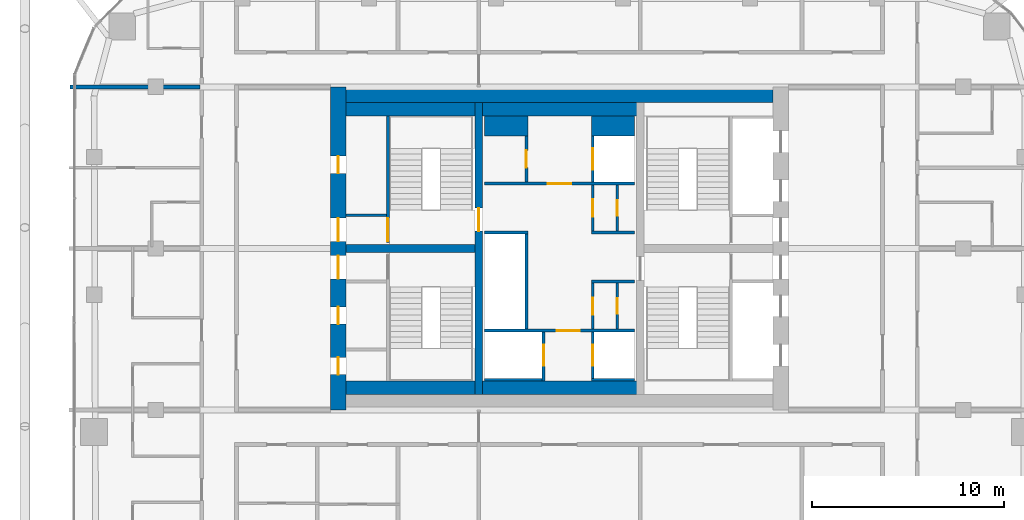
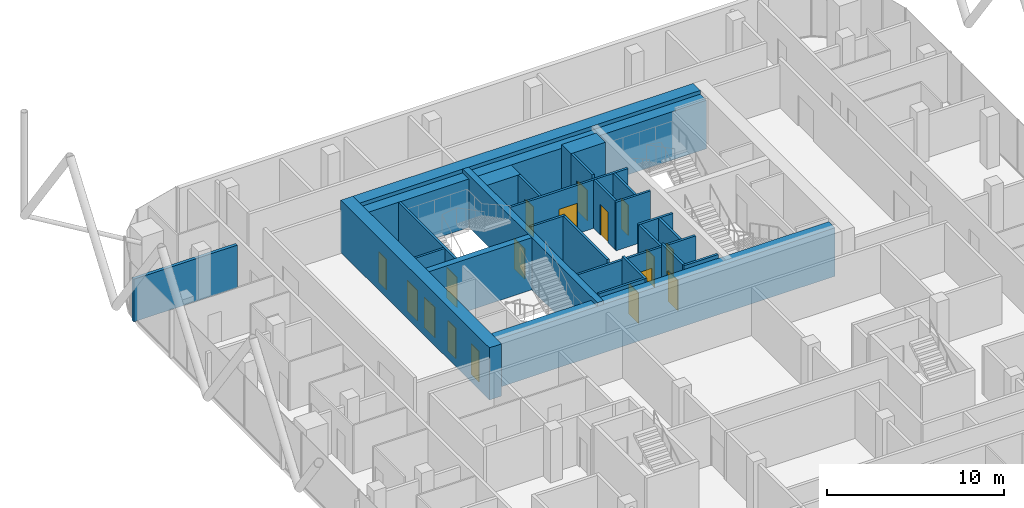
# One storey, part 24 of 28: 27 walls, 17 doors, 17 openings.
"""IFC4 building model written with IfcOpenShell, lengths in metres."""

import ifcopenshell
import ifcopenshell.guid

model = None  # the IFC model being written
_history = None  # IfcOwnerHistory: only IFC2X3 demands one
_inside = {}  # id of a spatial element -> (the spatial element, [elements in it])
_under = {}  # id of a project, library or spatial element -> (it, [spatial elements below it])
_declared = {}  # id of a project -> (the project, [libraries it declares])
_typed = {}  # id of a type object -> (the type object, [elements of that type])
_made_of = {}  # id of a material, layer set ... -> (it, [elements and type objects made of it])


def new_model(schema):
    """Start an empty IFC model of exactly this schema.

    Asked for "IFC4X3", IfcOpenShell would pick the latest addendum, in which some entities
    have other attributes; the version numbers below select the first issue.
    IFC2X3 requires an IfcOwnerHistory on every rooted entity: one is made here for all.
    """
    global model, _history
    if schema == "IFC4X3":
        model = ifcopenshell.file(schema_version=(4, 3, 0, 0))
    else:
        model = ifcopenshell.file(schema=schema)
    _inside.clear()
    _under.clear()
    _declared.clear()
    _typed.clear()
    _made_of.clear()
    _history = None
    if model.schema == "IFC2X3":
        org = make("IfcOrganization", Name="unknown")
        user = make(
            "IfcPersonAndOrganization",
            ThePerson=make("IfcPerson", FamilyName="unknown"),
            TheOrganization=org,
        )
        app = make(
            "IfcApplication",
            ApplicationDeveloper=org,
            Version="unknown",
            ApplicationFullName="unknown",
            ApplicationIdentifier="unknown",
        )
        _history = make(
            "IfcOwnerHistory",
            OwningUser=user,
            OwningApplication=app,
            ChangeAction="ADDED",
            CreationDate=0,
        )
    return model


def make(cls, **values):
    """One entity of the class cls with the attributes given. An attribute that is None is left unset."""
    return model.create_entity(
        cls, **{name: value for name, value in values.items() if value is not None}
    )


def rooted(cls, **values):
    """An entity with a GlobalId (a new one), such as an element, a storey or a relation."""
    return make(cls, GlobalId=ifcopenshell.guid.new(), OwnerHistory=_history, **values)


def si_unit(unit_type, name, prefix=None):
    """IfcSIUnit, for example si_unit("LENGTHUNIT", "METRE", prefix="MILLI")."""
    return make("IfcSIUnit", UnitType=unit_type, Prefix=prefix, Name=name)


def assignment(units):
    """IfcUnitAssignment: the units of a project."""
    return None if units is None else make("IfcUnitAssignment", Units=units)


def point(xyz):
    """IfcCartesianPoint."""
    return None if xyz is None else make("IfcCartesianPoint", Coordinates=xyz)


def direction(xyz):
    """IfcDirection."""
    return None if xyz is None else make("IfcDirection", DirectionRatios=xyz)


def frame(location, z_axis=None, x_axis=None):
    """IfcAxis2Placement3D, a coordinate frame: its origin and axes. An axis left out is left unset."""
    return make(
        "IfcAxis2Placement3D",
        Location=point(location),
        Axis=direction(z_axis),
        RefDirection=direction(x_axis),
    )


def frame_2d(location, x_axis=None):
    """IfcAxis2Placement2D, a coordinate frame in the plane: its origin and x axis."""
    return make(
        "IfcAxis2Placement2D", Location=point(location), RefDirection=direction(x_axis)
    )


def origin():
    """The frame at (0, 0, 0) with its axes left unset."""
    return frame((0.0, 0.0, 0.0))


def place(relative_to, where):
    """IfcLocalPlacement: puts the frame where relative to a parent placement (None: the world)."""
    return make(
        "IfcLocalPlacement", PlacementRelTo=relative_to, RelativePlacement=where
    )


def context(
    kind, dimensions, precision=None, world=None, true_north=None, identifier=None
):
    """IfcGeometricRepresentationContext, for example the 3D "Model" context."""
    return make(
        "IfcGeometricRepresentationContext",
        ContextIdentifier=identifier,
        ContextType=kind,
        CoordinateSpaceDimension=dimensions,
        Precision=precision,
        WorldCoordinateSystem=world,
        TrueNorth=true_north,
    )


def subcontext(parent, identifier, kind, view, scale=None):
    """IfcGeometricRepresentationSubContext, for example "Body" below "Model"."""
    return make(
        "IfcGeometricRepresentationSubContext",
        ContextIdentifier=identifier,
        ContextType=kind,
        ParentContext=parent,
        TargetScale=scale,
        TargetView=view,
    )


def project(units=None, contexts=None):
    """IfcProject with its units and contexts."""
    return rooted(
        "IfcProject",
        Name="project",
        RepresentationContexts=contexts,
        UnitsInContext=assignment(units),
    )


def spatial(cls, under=None, at=None, **own):
    """A site, building, storey or space (cls), placed at a placement, below another one or the project."""
    s = rooted(cls, ObjectPlacement=at, **own)
    if under is not None:
        _under.setdefault(under.id(), (under, []))[1].append(s)
    return s


def profile(cls, at=None, kind="AREA", **sizes):
    """A parametric profile (cls). Its sizes go by their IFC names, for example OverallWidth=200.0."""
    return make(cls, ProfileType=kind, Position=at, **sizes)


def rectangle(**sizes):
    """IfcRectangleProfileDef."""
    return profile("IfcRectangleProfileDef", **sizes)


def extrude(swept, where, along, depth):
    """IfcExtrudedAreaSolid: the profile swept, set in the frame where, extruded along a direction by depth."""
    return make(
        "IfcExtrudedAreaSolid",
        SweptArea=swept,
        Position=where,
        ExtrudedDirection=direction(along),
        Depth=depth,
    )


def shape(context_of_items, identifier, shape_type, items):
    """IfcShapeRepresentation: the items that make up one representation, for example the "Body"."""
    return make(
        "IfcShapeRepresentation",
        ContextOfItems=context_of_items,
        RepresentationIdentifier=identifier,
        RepresentationType=shape_type,
        Items=items,
    )


def material(Name=None, Category=None):
    """IfcMaterial."""
    return make("IfcMaterial", Name=Name, Category=Category)


def layer(
    of_material, thickness, ventilated=None, Name=None, Category=None, Priority=None
):
    """IfcMaterialLayer: one layer of a wall or slab, of a material (None: an air gap)."""
    return make(
        "IfcMaterialLayer",
        Material=of_material,
        LayerThickness=thickness,
        IsVentilated=ventilated,
        Name=Name,
        Category=Category,
        Priority=Priority,
    )


def layer_set(layers, Name=None):
    """IfcMaterialLayerSet."""
    return make("IfcMaterialLayerSet", MaterialLayers=layers, LayerSetName=Name)


def made_of(thing, what):
    """Note that an element or type object is made of a material, layer set ...; save() writes the relation."""
    if what is not None:
        _made_of.setdefault(what.id(), (what, []))[1].append(thing)
    return thing


def type_object(cls, material=None, **own):
    """A type object (cls), such as IfcWallType, which elements share."""
    return made_of(rooted(cls, **own), material)


def element(
    cls,
    number,
    at=None,
    inside=None,
    cuts=None,
    type_object=None,
    material=None,
    context=None,
    identifier="Body",
    shape_type=None,
    held_by="IfcProductDefinitionShape",
    body=None,
    shapes=None,
    **own,
):
    """One element of the class cls, such as IfcWall. Its Tag is "e" and its number.

    at: its placement. inside: the storey or other place that contains it. cuts: it is an
    opening in that element (IfcRelVoidsElement). A single representation is given by context,
    identifier, shape_type and body (its items); several are given by shapes. held_by: the class
    of the entity that holds the representations. save() writes the other relations.
    """
    e = rooted(cls, Tag="e%d" % number, ObjectPlacement=at, **own)
    if body is not None:
        shapes = [shape(context, identifier, shape_type, body)]
    if shapes is not None:
        e.Representation = make(held_by, Representations=shapes)
    if inside is not None:
        _inside.setdefault(inside.id(), (inside, []))[1].append(e)
    if cuts is not None:
        rooted(
            "IfcRelVoidsElement", RelatingBuildingElement=cuts, RelatedOpeningElement=e
        )
    if type_object is not None:
        _typed.setdefault(type_object.id(), (type_object, []))[1].append(e)
    return made_of(e, material)


def fill(opening, filler):
    """IfcRelFillsElement: the door or window that sits in an opening."""
    return rooted(
        "IfcRelFillsElement",
        RelatingOpeningElement=opening,
        RelatedBuildingElement=filler,
    )


def aggregate(whole, parts):
    """IfcRelAggregates: a whole, such as a stair, and the parts it consists of."""
    return rooted("IfcRelAggregates", RelatingObject=whole, RelatedObjects=parts)


def save(model, path):
    """Write the relations noted so far, then the file.

    IfcRelAggregates (storeys below a building ...), IfcRelContainedInSpatialStructure (elements
    in a storey), IfcRelDefinesByType, IfcRelAssociatesMaterial and IfcRelDeclares: one each for
    every whole, place, type object, material and project.
    """
    for whole, parts in _under.values():
        aggregate(whole, parts)
    for where, things in _inside.values():
        rooted(
            "IfcRelContainedInSpatialStructure",
            RelatedElements=things,
            RelatingStructure=where,
        )
    for kind, things in _typed.values():
        rooted("IfcRelDefinesByType", RelatedObjects=things, RelatingType=kind)
    for what, things in _made_of.values():
        rooted("IfcRelAssociatesMaterial", RelatedObjects=things, RelatingMaterial=what)
    for by, libraries in _declared.values():
        rooted("IfcRelDeclares", RelatingContext=by, RelatedDefinitions=libraries)
    model.write(path)


model = new_model("IFC4")

# Units and contexts
model_context = context("Model", 3, precision=1e-05, world=origin(), true_north=direction((0.0, 1.0)))
body_context = subcontext(model_context, "Body", "Model", "MODEL_VIEW")
ifc_project = project(units=[si_unit("LENGTHUNIT", "METRE"), si_unit("AREAUNIT", "SQUARE_METRE"), si_unit("VOLUMEUNIT", "CUBIC_METRE"), si_unit("PLANEANGLEUNIT", "RADIAN"), si_unit("MASSUNIT", "GRAM", prefix="KILO")], contexts=[model_context])

# Site, building, storey
site_placement = place(None, origin())
site = spatial("IfcSite", under=ifc_project, at=site_placement, CompositionType="ELEMENT")
building_placement = place(site_placement, origin())
building = spatial("IfcBuilding", under=site, at=building_placement, Name="Marenta Gate Hotel Tower", CompositionType="ELEMENT")
storey_placement = place(building_placement, frame((0.0, 0.0, 198.5)))
storey = spatial("IfcBuildingStorey", under=building, at=storey_placement, Name="L45", CompositionType="ELEMENT", Elevation=198.5)

# Walls
ifc_material_1 = material(Name="Concrete C40", Category="concrete")
ifc_layer_1 = layer(ifc_material_1, 0.699951171875)
ifc_layer_set_1 = layer_set([ifc_layer_1], Name="Concrete C40")
wall_type_1 = type_object("IfcWallType", Name="Core lining wall 700 REI 180", PredefinedType="PARTITIONING", material=ifc_layer_set_1)
for number, where, z_axis, x_axis, name in (
    (1, (-11.10009765625, 1.14990234375, 0.0), (0.0, 0.0, 1.0), (1.0, 0.0, 0.0), "L45-CP-LN-S"),
    (2, (-11.10009765625, 15.64990234375, 0.0), (0.0, 0.0, 1.0), (1.0, 0.0, 0.0), "L45-CP-LN-N"),
):
    element("IfcWall", number, at=place(storey_placement, frame(where, z_axis=z_axis, x_axis=x_axis)), inside=storey, type_object=wall_type_1, Name=name, PredefinedType="PARTITIONING", context=body_context, shape_type="SweptSolid", body=[
        extrude(rectangle(XDim=22.2001953125, YDim=0.699951171875, at=frame_2d((11.10009765625, 0.0))), origin(), (0.0, 0.0, 1.0), 3.340087890625),
    ])

# Wall, opening, door
ifc_material_2 = material(Name="Concrete blockwork", Category="masonry")
ifc_layer_2 = layer(ifc_material_2, 0.14990234375)
ifc_layer_set_2 = layer_set([ifc_layer_2], Name="Concrete blockwork")
wall_type_2 = type_object("IfcWallType", Name="Core lobby partition 150 REI 180", PredefinedType="PARTITIONING", material=ifc_layer_set_2)
wall_1_placement = place(storey_placement, frame((-3.89990234375, 4.125, 0.0), z_axis=(0.0, 0.0, 1.0), x_axis=(1.0, 0.0, 0.0)))
wall_1 = element("IfcWall", 3, at=wall_1_placement, inside=storey, type_object=wall_type_2, Name="L45-CP-CW-S", PredefinedType="PARTITIONING", context=body_context, shape_type="SweptSolid", body=[
    extrude(rectangle(XDim=7.7998046875, YDim=0.14990234375, at=frame_2d((3.89990234375, 0.0))), origin(), (0.0, 0.0, 1.0), 3.340087890625),
])
opening_1_placement = place(wall_1_placement, frame((3.75, 0.0, 0.0)))
opening_1 = element("IfcOpeningElement", 4, at=opening_1_placement, cuts=wall_1, Name="Opening FD-FFS", PredefinedType="OPENING", context=body_context, shape_type="SweptSolid", body=[
    extrude(rectangle(XDim=1.199951171875, YDim=2.10009765625, at=frame_2d((0.60009765625, 1.050048828125))), frame((0.0, 0.074951171875, 0.0), z_axis=(0.0, -1.0, 0.0), x_axis=(1.0, 0.0, 0.0)), (0.0, 0.0, 1.0), 0.14990234375),
])
ifc_material_3 = material(Name="Steel", Category="steel")
door_type_1 = type_object("IfcDoorType", Name="Core lobby door 1200x2100 FD60", OperationType="SINGLE_SWING_LEFT", PredefinedType="DOOR", material=ifc_material_3)
door_1_placement = place(opening_1_placement, origin())
door_1 = element("IfcDoor", 5, at=door_1_placement, inside=storey, type_object=door_type_1, Name="FD-FFS", OperationType="SINGLE_SWING_LEFT", OverallHeight=2.10009765625, OverallWidth=1.199951171875, PredefinedType="DOOR", context=body_context, shape_type="SweptSolid", body=[
    extrude(rectangle(XDim=1.199951171875, YDim=2.10009765625, at=frame_2d((0.60009765625, 1.050048828125))), frame((0.0, 0.02490234375, 0.0), z_axis=(0.0, -1.0, 0.0), x_axis=(1.0, 0.0, 0.0)), (0.0, 0.0, 1.0), 0.050048828125),
])
fill(opening_1, door_1)

wall_2_placement = place(storey_placement, frame((-3.89990234375, 11.77490234375, 0.0), z_axis=(0.0, 0.0, 1.0), x_axis=(1.0, 0.0, 0.0)))
wall_2 = element("IfcWall", 6, at=wall_2_placement, inside=storey, type_object=wall_type_2, Name="L45-CP-CW-N", PredefinedType="PARTITIONING", context=body_context, shape_type="SweptSolid", body=[
    extrude(rectangle(XDim=7.7998046875, YDim=0.14990234375, at=frame_2d((3.89990234375, 0.0))), origin(), (0.0, 0.0, 1.0), 3.340087890625),
])
opening_2_placement = place(wall_2_placement, frame((3.300048828125, 0.0, 0.0)))
opening_2 = element("IfcOpeningElement", 7, at=opening_2_placement, cuts=wall_2, Name="Opening FD-FFN", PredefinedType="OPENING", context=body_context, shape_type="SweptSolid", body=[
    extrude(rectangle(XDim=1.199951171875, YDim=2.10009765625, at=frame_2d((0.60009765625, 1.050048828125))), frame((0.0, 0.074951171875, 0.0), z_axis=(0.0, -1.0, 0.0), x_axis=(1.0, 0.0, 0.0)), (0.0, 0.0, 1.0), 0.14990234375),
])
door_2_placement = place(opening_2_placement, origin())
door_2 = element("IfcDoor", 8, at=door_2_placement, inside=storey, type_object=door_type_1, Name="FD-FFN", OperationType="SINGLE_SWING_LEFT", OverallHeight=2.10009765625, OverallWidth=1.199951171875, PredefinedType="DOOR", context=body_context, shape_type="SweptSolid", body=[
    extrude(rectangle(XDim=1.199951171875, YDim=2.10009765625, at=frame_2d((0.60009765625, 1.050048828125))), frame((0.0, 0.02490234375, 0.0), z_axis=(0.0, -1.0, 0.0), x_axis=(1.0, 0.0, 0.0)), (0.0, 0.0, 1.0), 0.050048828125),
])
fill(opening_2, door_2)

# Walls
ifc_material_4 = material(Name="Concrete blockwork", Category="masonry")
ifc_layer_3 = layer(ifc_material_4, 1.050048828125)
ifc_layer_set_3 = layer_set([ifc_layer_3], Name="Concrete blockwork")
wall_type_3 = type_object("IfcWallType", Name="Core room partition 1050 REI 180", PredefinedType="PARTITIONING", material=ifc_layer_set_3)
wall_3_placement = place(storey_placement, frame((-3.89990234375, 14.77490234375, 0.0), z_axis=(0.0, 0.0, 1.0), x_axis=(1.0, 0.0, 0.0)))
element("IfcWall", 9, at=wall_3_placement, inside=storey, type_object=wall_type_3, Name="L45-CP-CW-W-riser-N", PredefinedType="PARTITIONING", context=body_context, shape_type="SweptSolid", body=[
    extrude(rectangle(XDim=2.25, YDim=1.050048828125, at=frame_2d((1.125, 0.0))), origin(), (0.0, 0.0, 1.0), 3.340087890625),
])
ifc_material_5 = material(Name="Concrete blockwork", Category="masonry")
ifc_layer_4 = layer(ifc_material_5, 0.14990234375)
ifc_layer_set_4 = layer_set([ifc_layer_4], Name="Concrete blockwork")
wall_type_4 = type_object("IfcWallType", Name="Core room partition 150 REI 180", PredefinedType="PARTITIONING", material=ifc_layer_set_4)
wall_4_placement = place(storey_placement, frame((-11.10009765625, 10.125, 0.0), z_axis=(0.0, 0.0, 1.0), x_axis=(1.0, 0.0, 0.0)))
element("IfcWall", 10, at=wall_4_placement, inside=storey, type_object=wall_type_4, Name="L45-CP-SW-WN-2", PredefinedType="PARTITIONING", context=body_context, shape_type="SweptSolid", body=[
    extrude(rectangle(XDim=2.10009765625, YDim=0.14990234375, at=frame_2d((1.050048828125, 0.0))), origin(), (0.0, 0.0, 1.0), 3.340087890625),
])

# Wall, opening, door
wall_5_placement = place(storey_placement, frame((-1.72509765625, 11.85009765625, 0.0), z_axis=(0.0, 0.0, 1.0), x_axis=(0.0, 1.0, 0.0)))
wall_5 = element("IfcWall", 11, at=wall_5_placement, inside=storey, type_object=wall_type_4, Name="L45-CP-CW-W-riser-front", PredefinedType="PARTITIONING", context=body_context, shape_type="SweptSolid", body=[
    extrude(rectangle(XDim=2.39990234375, YDim=0.14990234375, at=frame_2d((1.199951171875, 0.0))), origin(), (0.0, 0.0, 1.0), 3.340087890625),
])
opening_3_placement = place(wall_5_placement, frame((0.75, 0.0, 0.0)))
opening_3 = element("IfcOpeningElement", 12, at=opening_3_placement, cuts=wall_5, Name="Opening RD-CRISER", PredefinedType="OPENING", context=body_context, shape_type="SweptSolid", body=[
    extrude(rectangle(XDim=0.89990234375, YDim=2.10009765625, at=frame_2d((0.449951171875, 1.050048828125))), frame((0.0, 0.074951171875, 0.0), z_axis=(0.0, -1.0, 0.0), x_axis=(1.0, 0.0, 0.0)), (0.0, 0.0, 1.0), 0.14990234375),
])
ifc_material_6 = material(Name="Steel", Category="steel")
door_type_2 = type_object("IfcDoorType", Name="Core riser door 900x2100 FD60", OperationType="SINGLE_SWING_LEFT", PredefinedType="DOOR", material=ifc_material_6)
door_3_placement = place(opening_3_placement, origin())
door_3 = element("IfcDoor", 13, at=door_3_placement, inside=storey, type_object=door_type_2, Name="RD-CRISER", OperationType="SINGLE_SWING_LEFT", OverallHeight=2.10009765625, OverallWidth=0.89990234375, PredefinedType="DOOR", context=body_context, shape_type="SweptSolid", body=[
    extrude(rectangle(XDim=0.89990234375, YDim=2.10009765625, at=frame_2d((0.449951171875, 1.050048828125))), frame((0.0, 0.02490234375, 0.0), z_axis=(0.0, -1.0, 0.0), x_axis=(1.0, 0.0, 0.0)), (0.0, 0.0, 1.0), 0.050048828125),
])
fill(opening_3, door_3)

# Walls
for number, where, z_axis, x_axis, name in (
    (14, (1.64990234375, 6.675048828125, 0.0), (0.0, 0.0, 1.0), (1.0, 0.0, 0.0), "L45-CP-CE-sep1"),
    (15, (1.64990234375, 9.22509765625, 0.0), (0.0, 0.0, 1.0), (1.0, 0.0, 0.0), "L45-CP-CE-sep2"),
):
    element("IfcWall", number, at=place(storey_placement, frame(where, z_axis=z_axis, x_axis=x_axis)), inside=storey, type_object=wall_type_4, Name=name, PredefinedType="PARTITIONING", context=body_context, shape_type="SweptSolid", body=[
        extrude(rectangle(XDim=2.25, YDim=0.14990234375, at=frame_2d((1.125, 0.0))), origin(), (0.0, 0.0, 1.0), 3.340087890625),
    ])

# Wall, opening, door
wall_6_placement = place(storey_placement, frame((1.72509765625, 4.199951171875, 0.0), z_axis=(0.0, 0.0, 1.0), x_axis=(0.0, 1.0, 0.0)))
wall_6 = element("IfcWall", 16, at=wall_6_placement, inside=storey, type_object=wall_type_4, Name="L45-CP-CE-front-1", PredefinedType="PARTITIONING", context=body_context, shape_type="SweptSolid", body=[
    extrude(rectangle(XDim=2.400146484375, YDim=0.14990234375, at=frame_2d((1.2001953125, 0.0))), origin(), (0.0, 0.0, 1.0), 3.340087890625),
])
opening_4_placement = place(wall_6_placement, frame((0.75, 0.0, 0.0)))
opening_4 = element("IfcOpeningElement", 17, at=opening_4_placement, cuts=wall_6, Name="Opening RD-CE-1a", PredefinedType="OPENING", context=body_context, shape_type="SweptSolid", body=[
    extrude(rectangle(XDim=0.89990234375, YDim=2.10009765625, at=frame_2d((0.449951171875, 1.050048828125))), frame((0.0, 0.074951171875, 0.0), z_axis=(0.0, -1.0, 0.0), x_axis=(1.0, 0.0, 0.0)), (0.0, 0.0, 1.0), 0.14990234375),
])
ifc_material_7 = material(Name="Steel", Category="steel")
door_type_3 = type_object("IfcDoorType", Name="Core service room door 900x2100 FD30S", OperationType="SINGLE_SWING_LEFT", PredefinedType="DOOR", material=ifc_material_7)
door_4_placement = place(opening_4_placement, origin())
door_4 = element("IfcDoor", 18, at=door_4_placement, inside=storey, type_object=door_type_3, Name="RD-CE-1a", OperationType="SINGLE_SWING_LEFT", OverallHeight=2.10009765625, OverallWidth=0.89990234375, PredefinedType="DOOR", context=body_context, shape_type="SweptSolid", body=[
    extrude(rectangle(XDim=0.89990234375, YDim=2.10009765625, at=frame_2d((0.449951171875, 1.050048828125))), frame((0.0, 0.02490234375, 0.0), z_axis=(0.0, -1.0, 0.0), x_axis=(1.0, 0.0, 0.0)), (0.0, 0.0, 1.0), 0.050048828125),
])
fill(opening_4, door_4)

wall_7_placement = place(storey_placement, frame((1.72509765625, 9.300048828125, 0.0), z_axis=(0.0, 0.0, 1.0), x_axis=(0.0, 1.0, 0.0)))
wall_7 = element("IfcWall", 19, at=wall_7_placement, inside=storey, type_object=wall_type_4, Name="L45-CP-CE-front-2", PredefinedType="PARTITIONING", context=body_context, shape_type="SweptSolid", body=[
    extrude(rectangle(XDim=2.39990234375, YDim=0.14990234375, at=frame_2d((1.199951171875, 0.0))), origin(), (0.0, 0.0, 1.0), 3.340087890625),
])
opening_5_placement = place(wall_7_placement, frame((0.75, 0.0, 0.0)))
opening_5 = element("IfcOpeningElement", 20, at=opening_5_placement, cuts=wall_7, Name="Opening RD-CE-2a", PredefinedType="OPENING", context=body_context, shape_type="SweptSolid", body=[
    extrude(rectangle(XDim=0.89990234375, YDim=2.10009765625, at=frame_2d((0.449951171875, 1.050048828125))), frame((0.0, 0.074951171875, 0.0), z_axis=(0.0, -1.0, 0.0), x_axis=(1.0, 0.0, 0.0)), (0.0, 0.0, 1.0), 0.14990234375),
])
door_5_placement = place(opening_5_placement, origin())
door_5 = element("IfcDoor", 21, at=door_5_placement, inside=storey, type_object=door_type_3, Name="RD-CE-2a", OperationType="SINGLE_SWING_LEFT", OverallHeight=2.10009765625, OverallWidth=0.89990234375, PredefinedType="DOOR", context=body_context, shape_type="SweptSolid", body=[
    extrude(rectangle(XDim=0.89990234375, YDim=2.10009765625, at=frame_2d((0.449951171875, 1.050048828125))), frame((0.0, 0.02490234375, 0.0), z_axis=(0.0, -1.0, 0.0), x_axis=(1.0, 0.0, 0.0)), (0.0, 0.0, 1.0), 0.050048828125),
])
fill(opening_5, door_5)

wall_8_placement = place(storey_placement, frame((3.0, 4.199951171875, 0.0), z_axis=(0.0, 0.0, 1.0), x_axis=(0.0, 1.0, 0.0)))
wall_8 = element("IfcWall", 22, at=wall_8_placement, inside=storey, type_object=wall_type_4, Name="L45-CP-CE-RW-1", PredefinedType="PARTITIONING", context=body_context, shape_type="SweptSolid", body=[
    extrude(rectangle(XDim=2.400146484375, YDim=0.14990234375, at=frame_2d((1.2001953125, 0.0))), origin(), (0.0, 0.0, 1.0), 3.340087890625),
])
opening_6_placement = place(wall_8_placement, frame((0.800048828125, 0.0, 0.0)))
opening_6 = element("IfcOpeningElement", 23, at=opening_6_placement, cuts=wall_8, Name="Opening RD-CE-1b-A", PredefinedType="OPENING", context=body_context, shape_type="SweptSolid", body=[
    extrude(rectangle(XDim=0.800048828125, YDim=2.10009765625, at=frame_2d((0.39990234375, 1.050048828125))), frame((0.0, 0.074951171875, 0.0), z_axis=(0.0, -1.0, 0.0), x_axis=(1.0, 0.0, 0.0)), (0.0, 0.0, 1.0), 0.14990234375),
])
ifc_material_8 = material(Name="Steel", Category="steel")
door_type_4 = type_object("IfcDoorType", Name="Core riser door 800x2100 FD60", OperationType="SINGLE_SWING_LEFT", PredefinedType="DOOR", material=ifc_material_8)
door_6_placement = place(opening_6_placement, origin())
door_6 = element("IfcDoor", 24, at=door_6_placement, inside=storey, type_object=door_type_4, Name="RD-CE-1b-A", OperationType="SINGLE_SWING_LEFT", OverallHeight=2.10009765625, OverallWidth=0.800048828125, PredefinedType="DOOR", context=body_context, shape_type="SweptSolid", body=[
    extrude(rectangle(XDim=0.800048828125, YDim=2.10009765625, at=frame_2d((0.39990234375, 1.050048828125))), frame((0.0, 0.02490234375, 0.0), z_axis=(0.0, -1.0, 0.0), x_axis=(1.0, 0.0, 0.0)), (0.0, 0.0, 1.0), 0.050048828125),
])
fill(opening_6, door_6)

wall_9_placement = place(storey_placement, frame((3.0, 9.300048828125, 0.0), z_axis=(0.0, 0.0, 1.0), x_axis=(0.0, 1.0, 0.0)))
wall_9 = element("IfcWall", 25, at=wall_9_placement, inside=storey, type_object=wall_type_4, Name="L45-CP-CE-RW-2", PredefinedType="PARTITIONING", context=body_context, shape_type="SweptSolid", body=[
    extrude(rectangle(XDim=2.39990234375, YDim=0.14990234375, at=frame_2d((1.199951171875, 0.0))), origin(), (0.0, 0.0, 1.0), 3.340087890625),
])
opening_7_placement = place(wall_9_placement, frame((0.800048828125, 0.0, 0.0)))
opening_7 = element("IfcOpeningElement", 26, at=opening_7_placement, cuts=wall_9, Name="Opening RD-CE-2b-A", PredefinedType="OPENING", context=body_context, shape_type="SweptSolid", body=[
    extrude(rectangle(XDim=0.800048828125, YDim=2.10009765625, at=frame_2d((0.39990234375, 1.050048828125))), frame((0.0, 0.074951171875, 0.0), z_axis=(0.0, -1.0, 0.0), x_axis=(1.0, 0.0, 0.0)), (0.0, 0.0, 1.0), 0.14990234375),
])
door_7_placement = place(opening_7_placement, origin())
door_7 = element("IfcDoor", 27, at=door_7_placement, inside=storey, type_object=door_type_4, Name="RD-CE-2b-A", OperationType="SINGLE_SWING_LEFT", OverallHeight=2.10009765625, OverallWidth=0.800048828125, PredefinedType="DOOR", context=body_context, shape_type="SweptSolid", body=[
    extrude(rectangle(XDim=0.800048828125, YDim=2.10009765625, at=frame_2d((0.39990234375, 1.050048828125))), frame((0.0, 0.02490234375, 0.0), z_axis=(0.0, -1.0, 0.0), x_axis=(1.0, 0.0, 0.0)), (0.0, 0.0, 1.0), 0.050048828125),
])
fill(opening_7, door_7)

# Wall
ifc_material_9 = material(Name="Concrete C40", Category="concrete")
ifc_layer_5 = layer(ifc_material_9, 1.050048828125)
ifc_layer_set_5 = layer_set([ifc_layer_5], Name="Concrete C40")
wall_type_5 = type_object("IfcWallType", Name="Core shaft wall 1050 REI 180", PredefinedType="SHEAR", material=ifc_layer_set_5)
wall_10_placement = place(storey_placement, frame((1.64990234375, 14.77490234375, 0.0), z_axis=(0.0, 0.0, 1.0), x_axis=(1.0, 0.0, 0.0)))
element("IfcWall", 28, at=wall_10_placement, inside=storey, type_object=wall_type_5, Name="L45-SHF-CE-N-top", PredefinedType="SHEAR", context=body_context, shape_type="SweptSolid", body=[
    extrude(rectangle(XDim=2.25, YDim=1.050048828125, at=frame_2d((1.125, 0.0))), origin(), (0.0, 0.0, 1.0), 3.60009765625),
])

# Wall, opening, door
ifc_material_10 = material(Name="Concrete C40", Category="concrete")
ifc_layer_6 = layer(ifc_material_10, 0.14990234375)
ifc_layer_set_6 = layer_set([ifc_layer_6], Name="Concrete C40")
wall_type_6 = type_object("IfcWallType", Name="Core shaft wall 150 REI 180", PredefinedType="SHEAR", material=ifc_layer_set_6)
wall_11_placement = place(storey_placement, frame((-0.824951171875, 1.5, 0.0), z_axis=(0.0, 0.0, 1.0), x_axis=(0.0, 1.0, 0.0)))
wall_11 = element("IfcWall", 29, at=wall_11_placement, inside=storey, type_object=wall_type_6, Name="L45-SHF-CW-W-ff", PredefinedType="SHEAR", context=body_context, shape_type="SweptSolid", body=[
    extrude(rectangle(XDim=2.550048828125, YDim=0.14990234375, at=frame_2d((1.27490234375, 0.0))), origin(), (0.0, 0.0, 1.0), 3.60009765625),
])
opening_8_placement = place(wall_11_placement, frame((0.800048828125, 0.0, 0.0)))
opening_8 = element("IfcOpeningElement", 30, at=opening_8_placement, cuts=wall_11, Name="Opening LD-FF1", PredefinedType="OPENING", context=body_context, shape_type="SweptSolid", body=[
    extrude(rectangle(XDim=1.10009765625, YDim=2.10009765625, at=frame_2d((0.550048828125, 1.050048828125))), frame((0.0, 0.074951171875, 0.0), z_axis=(0.0, -1.0, 0.0), x_axis=(1.0, 0.0, 0.0)), (0.0, 0.0, 1.0), 0.14990234375),
])
ifc_material_11 = material(Name="Steel", Category="steel")
door_type_5 = type_object("IfcDoorType", Name="Core lift landing door 1100x2100 E 60", OperationType="SLIDING_TO_LEFT", PredefinedType="DOOR", material=ifc_material_11)
door_8_placement = place(opening_8_placement, origin())
door_8 = element("IfcDoor", 31, at=door_8_placement, inside=storey, type_object=door_type_5, Name="LD-FF1", OperationType="SLIDING_TO_LEFT", OverallHeight=2.10009765625, OverallWidth=1.10009765625, PredefinedType="DOOR", context=body_context, shape_type="SweptSolid", body=[
    extrude(rectangle(XDim=1.10009765625, YDim=2.10009765625, at=frame_2d((0.550048828125, 1.050048828125))), frame((0.0, 0.02490234375, 0.0), z_axis=(0.0, -1.0, 0.0), x_axis=(1.0, 0.0, 0.0)), (0.0, 0.0, 1.0), 0.050048828125),
])
fill(opening_8, door_8)

# Walls
wall_12_placement = place(storey_placement, frame((-3.89990234375, 1.574951171875, 0.0), z_axis=(0.0, 0.0, 1.0), x_axis=(1.0, 0.0, 0.0)))
element("IfcWall", 32, at=wall_12_placement, inside=storey, type_object=wall_type_6, Name="L45-SHF-CW-W-ffs", PredefinedType="SHEAR", context=body_context, shape_type="SweptSolid", body=[
    extrude(rectangle(XDim=3.0, YDim=0.14990234375, at=frame_2d((1.5, 0.0))), origin(), (0.0, 0.0, 1.0), 3.60009765625),
])
wall_13_placement = place(storey_placement, frame((-1.72509765625, 4.199951171875, 0.0), z_axis=(0.0, 0.0, 1.0), x_axis=(0.0, 1.0, 0.0)))
element("IfcWall", 33, at=wall_13_placement, inside=storey, type_object=wall_type_6, Name="L45-SHF-CW-W-front", PredefinedType="SHEAR", context=body_context, shape_type="SweptSolid", body=[
    extrude(rectangle(XDim=4.949951171875, YDim=0.14990234375, at=frame_2d((2.47509765625, 0.0))), origin(), (0.0, 0.0, 1.0), 3.60009765625),
])
wall_14_placement = place(storey_placement, frame((-3.89990234375, 9.22509765625, 0.0), z_axis=(0.0, 0.0, 1.0), x_axis=(1.0, 0.0, 0.0)))
element("IfcWall", 34, at=wall_14_placement, inside=storey, type_object=wall_type_6, Name="L45-SHF-CW-W-sep", PredefinedType="SHEAR", context=body_context, shape_type="SweptSolid", body=[
    extrude(rectangle(XDim=2.25, YDim=0.14990234375, at=frame_2d((1.125, 0.0))), origin(), (0.0, 0.0, 1.0), 3.60009765625),
])

# Wall, opening, door
wall_15_placement = place(storey_placement, frame((1.72509765625, 1.64990234375, 0.0), z_axis=(0.0, 0.0, 1.0), x_axis=(0.0, 1.0, 0.0)))
wall_15 = element("IfcWall", 35, at=wall_15_placement, inside=storey, type_object=wall_type_6, Name="L45-SHF-CE-S-ls", PredefinedType="SHEAR", context=body_context, shape_type="SweptSolid", body=[
    extrude(rectangle(XDim=2.400146484375, YDim=0.14990234375, at=frame_2d((1.2001953125, 0.0))), origin(), (0.0, 0.0, 1.0), 3.60009765625),
])
opening_9_placement = place(wall_15_placement, frame((0.64990234375, 0.0, 0.0)))
opening_9 = element("IfcOpeningElement", 36, at=opening_9_placement, cuts=wall_15, Name="Opening LD-SV1", PredefinedType="OPENING", context=body_context, shape_type="SweptSolid", body=[
    extrude(rectangle(XDim=1.10009765625, YDim=2.10009765625, at=frame_2d((0.550048828125, 1.050048828125))), frame((0.0, 0.074951171875, 0.0), z_axis=(0.0, -1.0, 0.0), x_axis=(1.0, 0.0, 0.0)), (0.0, 0.0, 1.0), 0.14990234375),
])
door_9_placement = place(opening_9_placement, origin())
door_9 = element("IfcDoor", 37, at=door_9_placement, inside=storey, type_object=door_type_5, Name="LD-SV1", OperationType="SLIDING_TO_LEFT", OverallHeight=2.10009765625, OverallWidth=1.10009765625, PredefinedType="DOOR", context=body_context, shape_type="SweptSolid", body=[
    extrude(rectangle(XDim=1.10009765625, YDim=2.10009765625, at=frame_2d((0.550048828125, 1.050048828125))), frame((0.0, 0.02490234375, 0.0), z_axis=(0.0, -1.0, 0.0), x_axis=(1.0, 0.0, 0.0)), (0.0, 0.0, 1.0), 0.050048828125),
])
fill(opening_9, door_9)

# Wall
wall_16_placement = place(storey_placement, frame((1.64990234375, 1.574951171875, 0.0), z_axis=(0.0, 0.0, 1.0), x_axis=(1.0, 0.0, 0.0)))
element("IfcWall", 38, at=wall_16_placement, inside=storey, type_object=wall_type_6, Name="L45-SHF-CE-S-bot", PredefinedType="SHEAR", context=body_context, shape_type="SweptSolid", body=[
    extrude(rectangle(XDim=2.25, YDim=0.14990234375, at=frame_2d((1.125, 0.0))), origin(), (0.0, 0.0, 1.0), 3.60009765625),
])

# Wall, opening, door
wall_17_placement = place(storey_placement, frame((1.72509765625, 11.85009765625, 0.0), z_axis=(0.0, 0.0, 1.0), x_axis=(0.0, 1.0, 0.0)))
wall_17 = element("IfcWall", 39, at=wall_17_placement, inside=storey, type_object=wall_type_6, Name="L45-SHF-CE-N-front2", PredefinedType="SHEAR", context=body_context, shape_type="SweptSolid", body=[
    extrude(rectangle(XDim=2.39990234375, YDim=0.14990234375, at=frame_2d((1.199951171875, 0.0))), origin(), (0.0, 0.0, 1.0), 3.60009765625),
])
opening_10_placement = place(wall_17_placement, frame((0.64990234375, 0.0, 0.0)))
opening_10 = element("IfcOpeningElement", 40, at=opening_10_placement, cuts=wall_17, Name="Opening LD-FF2", PredefinedType="OPENING", context=body_context, shape_type="SweptSolid", body=[
    extrude(rectangle(XDim=1.10009765625, YDim=2.10009765625, at=frame_2d((0.550048828125, 1.050048828125))), frame((0.0, 0.074951171875, 0.0), z_axis=(0.0, -1.0, 0.0), x_axis=(1.0, 0.0, 0.0)), (0.0, 0.0, 1.0), 0.14990234375),
])
door_10_placement = place(opening_10_placement, origin())
door_10 = element("IfcDoor", 41, at=door_10_placement, inside=storey, type_object=door_type_5, Name="LD-FF2", OperationType="SLIDING_TO_LEFT", OverallHeight=2.10009765625, OverallWidth=1.10009765625, PredefinedType="DOOR", context=body_context, shape_type="SweptSolid", body=[
    extrude(rectangle(XDim=1.10009765625, YDim=2.10009765625, at=frame_2d((0.550048828125, 1.050048828125))), frame((0.0, 0.02490234375, 0.0), z_axis=(0.0, -1.0, 0.0), x_axis=(1.0, 0.0, 0.0)), (0.0, 0.0, 1.0), 0.050048828125),
])
fill(opening_10, door_10)

ifc_material_12 = material(Name="Concrete C40", Category="concrete")
ifc_layer_7 = layer(ifc_material_12, 0.14990234375)
ifc_layer_set_7 = layer_set([ifc_layer_7], Name="Concrete C40")
wall_type_7 = type_object("IfcWallType", Name="Core stair enclosure wall 150 REI 180", PredefinedType="SHEAR", material=ifc_layer_set_7)
wall_18_placement = place(storey_placement, frame((-8.925048828125, 8.699951171875, 0.0), z_axis=(0.0, 0.0, 1.0), x_axis=(0.0, 1.0, 0.0)))
wall_18 = element("IfcWall", 42, at=wall_18_placement, inside=storey, type_object=wall_type_7, Name="L45-SHF-SW-WN-3", PredefinedType="SHEAR", context=body_context, shape_type="SweptSolid", body=[
    extrude(rectangle(XDim=6.60009765625, YDim=0.14990234375, at=frame_2d((3.300048828125, 0.0))), origin(), (0.0, 0.0, 1.0), 3.340087890625),
])
opening_11_placement = place(wall_18_placement, frame((0.074951171875, 0.0, 0.0)))
opening_11 = element("IfcOpeningElement", 43, at=opening_11_placement, cuts=wall_18, Name="Opening SD-WN", PredefinedType="OPENING", context=body_context, shape_type="SweptSolid", body=[
    extrude(rectangle(XDim=1.199951171875, YDim=2.10009765625, at=frame_2d((0.60009765625, 1.050048828125))), frame((0.0, 0.074951171875, 0.0), z_axis=(0.0, -1.0, 0.0), x_axis=(1.0, 0.0, 0.0)), (0.0, 0.0, 1.0), 0.14990234375),
])
ifc_material_13 = material(Name="Steel", Category="steel")
door_type_6 = type_object("IfcDoorType", Name="Core stair door 1200x2100 FD60", OperationType="SINGLE_SWING_LEFT", PredefinedType="DOOR", material=ifc_material_13)
door_11_placement = place(opening_11_placement, origin())
door_11 = element("IfcDoor", 44, at=door_11_placement, inside=storey, type_object=door_type_6, Name="SD-WN", OperationType="SINGLE_SWING_LEFT", OverallHeight=2.10009765625, OverallWidth=1.199951171875, PredefinedType="DOOR", context=body_context, shape_type="SweptSolid", body=[
    extrude(rectangle(XDim=1.199951171875, YDim=2.10009765625, at=frame_2d((0.60009765625, 1.050048828125))), frame((0.0, 0.02490234375, 0.0), z_axis=(0.0, -1.0, 0.0), x_axis=(1.0, 0.0, 0.0)), (0.0, 0.0, 1.0), 0.050048828125),
])
fill(opening_11, door_11)

# Wall, openings, doors
ifc_material_14 = material(Name="Concrete C60", Category="concrete")
ifc_layer_8 = layer(ifc_material_14, 0.800048828125)
ifc_layer_set_8 = layer_set([ifc_layer_8], Name="Concrete C60")
wall_type_8 = type_object("IfcWallType", Name="Core wall 800 C60", PredefinedType="SHEAR", material=ifc_layer_set_8)
wall_19_placement = place(storey_placement, frame((-11.5, 0.0, 0.0), z_axis=(0.0, 0.0, 1.0), x_axis=(0.0, 1.0, 0.0)))
wall_19 = element("IfcWall", 45, at=wall_19_placement, inside=storey, type_object=wall_type_8, Name="L45-CORE-W", PredefinedType="SHEAR", context=body_context, shape_type="SweptSolid", body=[
    extrude(rectangle(XDim=16.800048828125, YDim=0.800048828125, at=frame_2d((8.39990234375, 0.0))), origin(), (0.0, 0.0, 1.0), 3.60009765625),
])
opening_12_placement = place(wall_19_placement, frame((1.83740234375, 0.0, 0.0)))
opening_12 = element("IfcOpeningElement", 46, at=opening_12_placement, cuts=wall_19, Name="Opening RD-WS-1", PredefinedType="OPENING", context=body_context, shape_type="SweptSolid", body=[
    extrude(rectangle(XDim=0.89990234375, YDim=2.10009765625, at=frame_2d((0.449951171875, 1.050048828125))), frame((0.0, 0.39990234375, 0.0), z_axis=(0.0, -1.0, 0.0), x_axis=(1.0, 0.0, 0.0)), (0.0, 0.0, 1.0), 0.800048828125),
])
opening_13_placement = place(wall_19_placement, frame((4.46240234375, 0.0, 0.0)))
opening_13 = element("IfcOpeningElement", 47, at=opening_13_placement, cuts=wall_19, Name="Opening RD-WS-2", PredefinedType="OPENING", context=body_context, shape_type="SweptSolid", body=[
    extrude(rectangle(XDim=0.89990234375, YDim=2.10009765625, at=frame_2d((0.449951171875, 1.050048828125))), frame((0.0, 0.39990234375, 0.0), z_axis=(0.0, -1.0, 0.0), x_axis=(1.0, 0.0, 0.0)), (0.0, 0.0, 1.0), 0.800048828125),
])
opening_14_placement = place(wall_19_placement, frame((6.824951171875, 0.0, 0.0)))
opening_14 = element("IfcOpeningElement", 48, at=opening_14_placement, cuts=wall_19, Name="Opening PD-WS", PredefinedType="OPENING", context=body_context, shape_type="SweptSolid", body=[
    extrude(rectangle(XDim=1.199951171875, YDim=2.10009765625, at=frame_2d((0.60009765625, 1.050048828125))), frame((0.0, 0.39990234375, 0.0), z_axis=(0.0, -1.0, 0.0), x_axis=(1.0, 0.0, 0.0)), (0.0, 0.0, 1.0), 0.800048828125),
])
opening_15_placement = place(wall_19_placement, frame((12.300048828125, 0.0, 0.0)))
opening_15 = element("IfcOpeningElement", 49, at=opening_15_placement, cuts=wall_19, Name="Opening RD-WN-1", PredefinedType="OPENING", context=body_context, shape_type="SweptSolid", body=[
    extrude(rectangle(XDim=0.89990234375, YDim=2.10009765625, at=frame_2d((0.449951171875, 1.050048828125))), frame((0.0, 0.39990234375, 0.0), z_axis=(0.0, -1.0, 0.0), x_axis=(1.0, 0.0, 0.0)), (0.0, 0.0, 1.0), 0.800048828125),
])
opening_16_placement = place(wall_19_placement, frame((8.77490234375, 0.0, 0.0)))
opening_16 = element("IfcOpeningElement", 50, at=opening_16_placement, cuts=wall_19, Name="Opening PD-WN", PredefinedType="OPENING", context=body_context, shape_type="SweptSolid", body=[
    extrude(rectangle(XDim=1.199951171875, YDim=2.10009765625, at=frame_2d((0.60009765625, 1.050048828125))), frame((0.0, 0.39990234375, 0.0), z_axis=(0.0, -1.0, 0.0), x_axis=(1.0, 0.0, 0.0)), (0.0, 0.0, 1.0), 0.800048828125),
])
door_12_placement = place(opening_14_placement, origin())
door_12 = element("IfcDoor", 51, at=door_12_placement, inside=storey, type_object=door_type_1, Name="PD-WS", OperationType="SINGLE_SWING_LEFT", OverallHeight=2.10009765625, OverallWidth=1.199951171875, PredefinedType="DOOR", context=body_context, shape_type="SweptSolid", body=[
    extrude(rectangle(XDim=1.199951171875, YDim=2.10009765625, at=frame_2d((0.60009765625, 1.050048828125))), frame((0.0, 0.02490234375, 0.0), z_axis=(0.0, -1.0, 0.0), x_axis=(1.0, 0.0, 0.0)), (0.0, 0.0, 1.0), 0.050048828125),
])
fill(opening_14, door_12)
door_13_placement = place(opening_16_placement, origin())
door_13 = element("IfcDoor", 52, at=door_13_placement, inside=storey, type_object=door_type_1, Name="PD-WN", OperationType="SINGLE_SWING_LEFT", OverallHeight=2.10009765625, OverallWidth=1.199951171875, PredefinedType="DOOR", context=body_context, shape_type="SweptSolid", body=[
    extrude(rectangle(XDim=1.199951171875, YDim=2.10009765625, at=frame_2d((0.60009765625, 1.050048828125))), frame((0.0, 0.02490234375, 0.0), z_axis=(0.0, -1.0, 0.0), x_axis=(1.0, 0.0, 0.0)), (0.0, 0.0, 1.0), 0.050048828125),
])
fill(opening_16, door_13)
door_14_placement = place(opening_12_placement, origin())
door_14 = element("IfcDoor", 53, at=door_14_placement, inside=storey, type_object=door_type_3, Name="RD-WS-1", OperationType="SINGLE_SWING_LEFT", OverallHeight=2.10009765625, OverallWidth=0.89990234375, PredefinedType="DOOR", context=body_context, shape_type="SweptSolid", body=[
    extrude(rectangle(XDim=0.89990234375, YDim=2.10009765625, at=frame_2d((0.449951171875, 1.050048828125))), frame((0.0, 0.02490234375, 0.0), z_axis=(0.0, -1.0, 0.0), x_axis=(1.0, 0.0, 0.0)), (0.0, 0.0, 1.0), 0.050048828125),
])
fill(opening_12, door_14)
door_15_placement = place(opening_13_placement, origin())
door_15 = element("IfcDoor", 54, at=door_15_placement, inside=storey, type_object=door_type_3, Name="RD-WS-2", OperationType="SINGLE_SWING_LEFT", OverallHeight=2.10009765625, OverallWidth=0.89990234375, PredefinedType="DOOR", context=body_context, shape_type="SweptSolid", body=[
    extrude(rectangle(XDim=0.89990234375, YDim=2.10009765625, at=frame_2d((0.449951171875, 1.050048828125))), frame((0.0, 0.02490234375, 0.0), z_axis=(0.0, -1.0, 0.0), x_axis=(1.0, 0.0, 0.0)), (0.0, 0.0, 1.0), 0.050048828125),
])
fill(opening_13, door_15)
door_16_placement = place(opening_15_placement, origin())
door_16 = element("IfcDoor", 55, at=door_16_placement, inside=storey, type_object=door_type_3, Name="RD-WN-1", OperationType="SINGLE_SWING_LEFT", OverallHeight=2.10009765625, OverallWidth=0.89990234375, PredefinedType="DOOR", context=body_context, shape_type="SweptSolid", body=[
    extrude(rectangle(XDim=0.89990234375, YDim=2.10009765625, at=frame_2d((0.449951171875, 1.050048828125))), frame((0.0, 0.02490234375, 0.0), z_axis=(0.0, -1.0, 0.0), x_axis=(1.0, 0.0, 0.0)), (0.0, 0.0, 1.0), 0.050048828125),
])
fill(opening_15, door_16)

# Wall
wall_20_placement = place(storey_placement, frame((-11.10009765625, 16.39990234375, 0.0), z_axis=(0.0, 0.0, 1.0), x_axis=(1.0, 0.0, 0.0)))
element("IfcWall", 56, at=wall_20_placement, inside=storey, type_object=wall_type_8, Name="L45-CORE-N", PredefinedType="SHEAR", context=body_context, shape_type="SweptSolid", body=[
    extrude(rectangle(XDim=22.2001953125, YDim=0.800048828125, at=frame_2d((11.10009765625, 0.0))), origin(), (0.0, 0.0, 1.0), 3.60009765625),
])

# Wall, opening, door
ifc_material_15 = material(Name="Concrete C60", Category="concrete")
ifc_layer_9 = layer(ifc_material_15, 0.39990234375)
ifc_layer_set_9 = layer_set([ifc_layer_9], Name="Concrete C60")
wall_type_9 = type_object("IfcWallType", Name="Core web 400 C60", PredefinedType="SHEAR", material=ifc_layer_set_9)
wall_21_placement = place(storey_placement, frame((-4.199951171875, 0.800048828125, 0.0), z_axis=(0.0, 0.0, 1.0), x_axis=(0.0, 1.0, 0.0)))
wall_21 = element("IfcWall", 57, at=wall_21_placement, inside=storey, type_object=wall_type_9, Name="L45-CORE-W1", PredefinedType="SHEAR", context=body_context, shape_type="SweptSolid", body=[
    extrude(rectangle(XDim=15.199951171875, YDim=0.39990234375, at=frame_2d((7.60009765625, 0.0))), origin(), (0.0, 0.0, 1.0), 3.60009765625),
])
opening_17_placement = place(wall_21_placement, frame((8.5, 0.0, 0.0)))
opening_17 = element("IfcOpeningElement", 58, at=opening_17_placement, cuts=wall_21, Name="Opening WD-W", PredefinedType="OPENING", context=body_context, shape_type="SweptSolid", body=[
    extrude(rectangle(XDim=1.199951171875, YDim=2.10009765625, at=frame_2d((0.60009765625, 1.050048828125))), frame((0.0, 0.199951171875, 0.0), z_axis=(0.0, -1.0, 0.0), x_axis=(1.0, 0.0, 0.0)), (0.0, 0.0, 1.0), 0.39990234375),
])
door_17_placement = place(opening_17_placement, origin())
door_17 = element("IfcDoor", 59, at=door_17_placement, inside=storey, type_object=door_type_6, Name="WD-W", OperationType="SINGLE_SWING_LEFT", OverallHeight=2.10009765625, OverallWidth=1.199951171875, PredefinedType="DOOR", context=body_context, shape_type="SweptSolid", body=[
    extrude(rectangle(XDim=1.199951171875, YDim=2.10009765625, at=frame_2d((0.60009765625, 1.050048828125))), frame((0.0, 0.02490234375, 0.0), z_axis=(0.0, -1.0, 0.0), x_axis=(1.0, 0.0, 0.0)), (0.0, 0.0, 1.0), 0.050048828125),
])
fill(opening_17, door_17)

# Walls
wall_22_placement = place(storey_placement, frame((-11.10009765625, 8.39990234375, 0.0), z_axis=(0.0, 0.0, 1.0), x_axis=(1.0, 0.0, 0.0)))
element("IfcWall", 60, at=wall_22_placement, inside=storey, type_object=wall_type_9, Name="L45-CORE-W3", PredefinedType="SHEAR", context=body_context, shape_type="SweptSolid", body=[
    extrude(rectangle(XDim=6.7001953125, YDim=0.39990234375, at=frame_2d((3.35009765625, 0.0))), origin(), (0.0, 0.0, 1.0), 3.60009765625),
])
ifc_material_16 = material(Name="Gypsum board on steel stud", Category="steel")
ifc_layer_10 = layer(ifc_material_16, 0.199951171875)
ifc_layer_set_10 = layer_set([ifc_layer_10], Name="Gypsum board on steel stud")
wall_type_10 = type_object("IfcWallType", Name="Room party wall 200 EI 60", PredefinedType="PARTITIONING", material=ifc_layer_set_10)
wall_23_placement = place(storey_placement, frame((-25.447021484375, 16.800048828125, 0.0), z_axis=(0.0, 0.0, 1.0), x_axis=(1.0, 0.0, 0.0)))
element("IfcWall", 61, at=wall_23_placement, inside=storey, type_object=wall_type_10, Name="L45-PTN-W097", PredefinedType="PARTITIONING", context=body_context, shape_type="SweptSolid", body=[
    extrude(rectangle(XDim=6.7470703125, YDim=0.199951171875, at=frame_2d((3.37353515625, 0.0))), origin(), (0.0, 0.0, 1.0), 2.93994140625),
])

save(model, "model.ifc")
